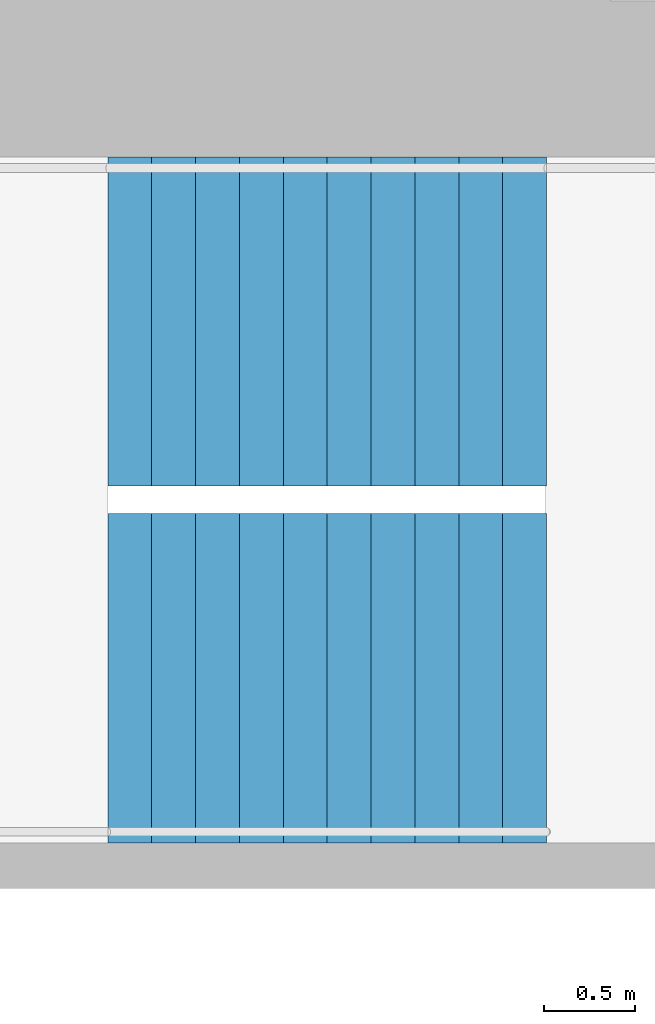
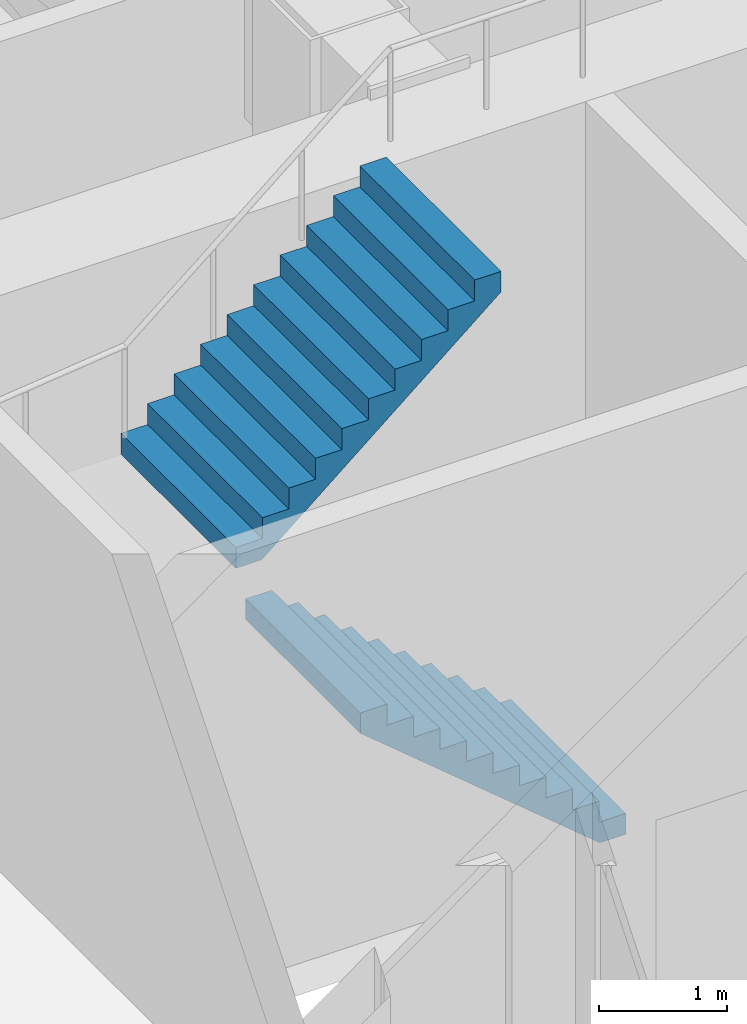
# One storey, part 29 of 31: 2 stair flights, 1 element without a shape of its own.
"""IFC4 building model written with IfcOpenShell, lengths in metres."""

from ifc_helpers import new_model, si_unit, direction, frame, origin, place, context, subcontext, project, spatial, triangles, material, type_object, element, aggregate, save


model = new_model("IFC4")

# Units and contexts
model_context = context("Model", 3, precision=1e-05, world=origin(), true_north=direction((0.0, 1.0)))
body_context = subcontext(model_context, "Body", "Model", "MODEL_VIEW")
ifc_project = project(units=[si_unit("LENGTHUNIT", "METRE"), si_unit("AREAUNIT", "SQUARE_METRE"), si_unit("VOLUMEUNIT", "CUBIC_METRE"), si_unit("PLANEANGLEUNIT", "RADIAN"), si_unit("MASSUNIT", "GRAM", prefix="KILO")], contexts=[model_context])

# Site, building, storey
site_placement = place(None, origin())
site = spatial("IfcSite", under=ifc_project, at=site_placement, CompositionType="ELEMENT")
building_placement = place(site_placement, origin())
building = spatial("IfcBuilding", under=site, at=building_placement, Name="Hakoniwa Tower and Hamabe Station Hall", CompositionType="ELEMENT")
storey_placement = place(building_placement, frame((0.0, 0.0, 120.199951171875)))
storey = spatial("IfcBuildingStorey", under=building, at=storey_placement, Name="L34", CompositionType="ELEMENT", Elevation=120.199951171875)

# Stair, stair flights
ifc_material_1 = material(Name="Concrete C40", Category="concrete")
stair_type = type_object("IfcStairType", Name="ESCAPE STAIR 1800", PredefinedType="HALF_TURN_STAIR", material=ifc_material_1)
stair_placement = place(storey_placement, origin())
stair = element("IfcStair", 1, at=stair_placement, inside=storey, type_object=stair_type, Name="Escape stair ST-3 L34", PredefinedType="HALF_TURN_STAIR")
ifc_material_2 = material(Name="Concrete C40", Category="concrete")
stair_flight_type = type_object("IfcStairFlightType", Name="STAIR FLIGHT 1800", PredefinedType="STRAIGHT", material=ifc_material_2)
stair_flight_1_placement = place(storey_placement, frame((24.39990234375, 4.64990234375, 0.0), z_axis=(0.0, 0.0, 1.0), x_axis=(-1.0, 0.0, 0.0)))
stair_flight_1 = element("IfcStairFlight", 2, at=stair_flight_1_placement, type_object=stair_flight_type, Name="ST-3 flight 1", NumberOfRisers=11, NumberOfTreads=10, PredefinedType="STRAIGHT", RiserHeight=0.2, TreadLength=0.24, context=body_context, shape_type="Tessellation", body=[
    triangles([(0.0, 0.89990234375, 0.0), (0.234130859375, 0.89990234375, 0.0), (0.239990234375, 0.89990234375, 0.0048828125), (0.47998046875, 0.89990234375, 0.204833984375), (0.719970703125, 0.89990234375, 0.40478515625), (0.9599609375, 0.89990234375, 0.60498046875), (1.199951171875, 0.89990234375, 0.804931640625), (1.43994140625, 0.89990234375, 1.0048828125), (1.679931640625, 0.89990234375, 1.204833984375), (1.919921875, 0.89990234375, 1.40478515625), (2.159912109375, 0.89990234375, 1.60498046875), (2.39990234375, 0.89990234375, 1.804931640625), (2.39990234375, 0.89990234375, 2.0), (2.159912109375, 0.89990234375, 2.0), (2.159912109375, 0.89990234375, 1.800048828125), (1.919921875, 0.89990234375, 1.800048828125), (1.919921875, 0.89990234375, 1.60009765625), (1.679931640625, 0.89990234375, 1.60009765625), (1.679931640625, 0.89990234375, 1.39990234375), (1.43994140625, 0.89990234375, 1.39990234375), (1.43994140625, 0.89990234375, 1.199951171875), (1.199951171875, 0.89990234375, 1.199951171875), (1.199951171875, 0.89990234375, 1.0), (0.9599609375, 0.89990234375, 1.0), (0.9599609375, 0.89990234375, 0.800048828125), (0.719970703125, 0.89990234375, 0.800048828125), (0.719970703125, 0.89990234375, 0.60009765625), (0.47998046875, 0.89990234375, 0.60009765625), (0.47998046875, 0.89990234375, 0.39990234375), (0.239990234375, 0.89990234375, 0.39990234375), (0.239990234375, 0.89990234375, 0.199951171875), (0.234130859375, 0.89990234375, 0.199951171875), (0.0, 0.89990234375, 0.199951171875), (0.0, 0.06005859375, 0.0), (0.234130859375, 0.06005859375, 0.0), (0.239990234375, 0.06005859375, 0.0048828125), (0.47998046875, 0.06005859375, 0.204833984375), (0.719970703125, 0.06005859375, 0.40478515625), (0.9599609375, 0.06005859375, 0.60498046875), (1.199951171875, 0.06005859375, 0.804931640625), (1.43994140625, 0.06005859375, 1.0048828125), (1.679931640625, 0.06005859375, 1.204833984375), (1.919921875, 0.06005859375, 1.40478515625), (2.159912109375, 0.06005859375, 1.60498046875), (2.39990234375, 0.06005859375, 1.804931640625), (2.39990234375, 0.06005859375, 2.0), (2.159912109375, 0.06005859375, 2.0), (2.159912109375, 0.06005859375, 1.800048828125), (1.919921875, 0.06005859375, 1.800048828125), (1.919921875, 0.06005859375, 1.60009765625), (1.679931640625, 0.06005859375, 1.60009765625), (1.679931640625, 0.06005859375, 1.39990234375), (1.43994140625, 0.06005859375, 1.39990234375), (1.43994140625, 0.06005859375, 1.199951171875), (1.199951171875, 0.06005859375, 1.199951171875), (1.199951171875, 0.06005859375, 1.0), (0.9599609375, 0.06005859375, 1.0), (0.9599609375, 0.06005859375, 0.800048828125), (0.719970703125, 0.06005859375, 0.800048828125), (0.719970703125, 0.06005859375, 0.60009765625), (0.47998046875, 0.06005859375, 0.60009765625), (0.47998046875, 0.06005859375, 0.39990234375), (0.239990234375, 0.06005859375, 0.39990234375), (0.239990234375, 0.06005859375, 0.199951171875), (0.234130859375, 0.06005859375, 0.199951171875), (0.0, 0.06005859375, 0.199951171875), (0.0, 0.02001953125, 0.0), (0.234130859375, 0.02001953125, 0.0), (0.239990234375, 0.02001953125, 0.0048828125), (0.47998046875, 0.02001953125, 0.204833984375), (0.719970703125, 0.02001953125, 0.40478515625), (0.9599609375, 0.02001953125, 0.60498046875), (1.199951171875, 0.02001953125, 0.804931640625), (1.43994140625, 0.02001953125, 1.0048828125), (1.679931640625, 0.02001953125, 1.204833984375), (1.919921875, 0.02001953125, 1.40478515625), (2.159912109375, 0.02001953125, 1.60498046875), (2.39990234375, 0.02001953125, 1.804931640625), (2.39990234375, 0.02001953125, 2.0), (2.159912109375, 0.02001953125, 2.0), (2.159912109375, 0.02001953125, 1.800048828125), (1.919921875, 0.02001953125, 1.800048828125), (1.919921875, 0.02001953125, 1.60009765625), (1.679931640625, 0.02001953125, 1.60009765625), (1.679931640625, 0.02001953125, 1.39990234375), (1.43994140625, 0.02001953125, 1.39990234375), (1.43994140625, 0.02001953125, 1.199951171875), (1.199951171875, 0.02001953125, 1.199951171875), (1.199951171875, 0.02001953125, 1.0), (0.9599609375, 0.02001953125, 1.0), (0.9599609375, 0.02001953125, 0.800048828125), (0.719970703125, 0.02001953125, 0.800048828125), (0.719970703125, 0.02001953125, 0.60009765625), (0.47998046875, 0.02001953125, 0.60009765625), (0.47998046875, 0.02001953125, 0.39990234375), (0.239990234375, 0.02001953125, 0.39990234375), (0.239990234375, 0.02001953125, 0.199951171875), (0.234130859375, 0.02001953125, 0.199951171875), (0.0, 0.02001953125, 0.199951171875), (0.0, -0.02001953125, 0.0), (0.234130859375, -0.02001953125, 0.0), (0.239990234375, -0.02001953125, 0.0048828125), (0.47998046875, -0.02001953125, 0.204833984375), (0.719970703125, -0.02001953125, 0.40478515625), (0.9599609375, -0.02001953125, 0.60498046875), (1.199951171875, -0.02001953125, 0.804931640625), (1.43994140625, -0.02001953125, 1.0048828125), (1.679931640625, -0.02001953125, 1.204833984375), (1.919921875, -0.02001953125, 1.40478515625), (2.159912109375, -0.02001953125, 1.60498046875), (2.39990234375, -0.02001953125, 1.804931640625), (2.39990234375, -0.02001953125, 2.0), (2.159912109375, -0.02001953125, 2.0), (2.159912109375, -0.02001953125, 1.800048828125), (1.919921875, -0.02001953125, 1.800048828125), (1.919921875, -0.02001953125, 1.60009765625), (1.679931640625, -0.02001953125, 1.60009765625), (1.679931640625, -0.02001953125, 1.39990234375), (1.43994140625, -0.02001953125, 1.39990234375), (1.43994140625, -0.02001953125, 1.199951171875), (1.199951171875, -0.02001953125, 1.199951171875), (1.199951171875, -0.02001953125, 1.0), (0.9599609375, -0.02001953125, 1.0), (0.9599609375, -0.02001953125, 0.800048828125), (0.719970703125, -0.02001953125, 0.800048828125), (0.719970703125, -0.02001953125, 0.60009765625), (0.47998046875, -0.02001953125, 0.60009765625), (0.47998046875, -0.02001953125, 0.39990234375), (0.239990234375, -0.02001953125, 0.39990234375), (0.239990234375, -0.02001953125, 0.199951171875), (0.234130859375, -0.02001953125, 0.199951171875), (0.0, -0.02001953125, 0.199951171875), (0.0, -0.06005859375, 0.0), (0.234130859375, -0.06005859375, 0.0), (0.239990234375, -0.06005859375, 0.0048828125), (0.47998046875, -0.06005859375, 0.204833984375), (0.719970703125, -0.06005859375, 0.40478515625), (0.9599609375, -0.06005859375, 0.60498046875), (1.199951171875, -0.06005859375, 0.804931640625), (1.43994140625, -0.06005859375, 1.0048828125), (1.679931640625, -0.06005859375, 1.204833984375), (1.919921875, -0.06005859375, 1.40478515625), (2.159912109375, -0.06005859375, 1.60498046875), (2.39990234375, -0.06005859375, 1.804931640625), (2.39990234375, -0.06005859375, 2.0), (2.159912109375, -0.06005859375, 2.0), (2.159912109375, -0.06005859375, 1.800048828125), (1.919921875, -0.06005859375, 1.800048828125), (1.919921875, -0.06005859375, 1.60009765625), (1.679931640625, -0.06005859375, 1.60009765625), (1.679931640625, -0.06005859375, 1.39990234375), (1.43994140625, -0.06005859375, 1.39990234375), (1.43994140625, -0.06005859375, 1.199951171875), (1.199951171875, -0.06005859375, 1.199951171875), (1.199951171875, -0.06005859375, 1.0), (0.9599609375, -0.06005859375, 1.0), (0.9599609375, -0.06005859375, 0.800048828125), (0.719970703125, -0.06005859375, 0.800048828125), (0.719970703125, -0.06005859375, 0.60009765625), (0.47998046875, -0.06005859375, 0.60009765625), (0.47998046875, -0.06005859375, 0.39990234375), (0.239990234375, -0.06005859375, 0.39990234375), (0.239990234375, -0.06005859375, 0.199951171875), (0.234130859375, -0.06005859375, 0.199951171875), (0.0, -0.06005859375, 0.199951171875), (0.0, -0.89990234375, 0.0), (0.234130859375, -0.89990234375, 0.0), (0.239990234375, -0.89990234375, 0.0048828125), (0.47998046875, -0.89990234375, 0.204833984375), (0.719970703125, -0.89990234375, 0.40478515625), (0.9599609375, -0.89990234375, 0.60498046875), (1.199951171875, -0.89990234375, 0.804931640625), (1.43994140625, -0.89990234375, 1.0048828125), (1.679931640625, -0.89990234375, 1.204833984375), (1.919921875, -0.89990234375, 1.40478515625), (2.159912109375, -0.89990234375, 1.60498046875), (2.39990234375, -0.89990234375, 1.804931640625), (2.39990234375, -0.89990234375, 2.0), (2.159912109375, -0.89990234375, 2.0), (2.159912109375, -0.89990234375, 1.800048828125), (1.919921875, -0.89990234375, 1.800048828125), (1.919921875, -0.89990234375, 1.60009765625), (1.679931640625, -0.89990234375, 1.60009765625), (1.679931640625, -0.89990234375, 1.39990234375), (1.43994140625, -0.89990234375, 1.39990234375), (1.43994140625, -0.89990234375, 1.199951171875), (1.199951171875, -0.89990234375, 1.199951171875), (1.199951171875, -0.89990234375, 1.0), (0.9599609375, -0.89990234375, 1.0), (0.9599609375, -0.89990234375, 0.800048828125), (0.719970703125, -0.89990234375, 0.800048828125), (0.719970703125, -0.89990234375, 0.60009765625), (0.47998046875, -0.89990234375, 0.60009765625), (0.47998046875, -0.89990234375, 0.39990234375), (0.239990234375, -0.89990234375, 0.39990234375), (0.239990234375, -0.89990234375, 0.199951171875), (0.234130859375, -0.89990234375, 0.199951171875), (0.0, -0.89990234375, 0.199951171875)], [[2, 33, 32], [167, 197, 198], [2, 1, 33], [167, 198, 166], [3, 32, 31], [168, 196, 197], [3, 2, 32], [168, 197, 167], [4, 30, 29], [169, 194, 195], [4, 31, 30], [169, 195, 196], [4, 3, 31], [169, 196, 168], [5, 28, 27], [170, 192, 193], [5, 29, 28], [170, 193, 194], [5, 4, 29], [170, 194, 169], [6, 26, 25], [171, 190, 191], [6, 27, 26], [171, 191, 192], [6, 5, 27], [171, 192, 170], [7, 24, 23], [172, 188, 189], [7, 25, 24], [172, 189, 190], [7, 6, 25], [172, 190, 171], [8, 22, 21], [173, 186, 187], [8, 23, 22], [173, 187, 188], [8, 7, 23], [173, 188, 172], [9, 20, 19], [174, 184, 185], [9, 21, 20], [174, 185, 186], [9, 8, 21], [174, 186, 173], [10, 18, 17], [175, 182, 183], [10, 19, 18], [175, 183, 184], [10, 9, 19], [175, 184, 174], [11, 16, 15], [176, 180, 181], [11, 17, 16], [176, 181, 182], [11, 10, 17], [176, 182, 175], [12, 14, 13], [177, 178, 179], [12, 15, 14], [177, 179, 180], [12, 11, 15], [177, 180, 176], [1, 2, 35], [1, 35, 34], [34, 35, 68], [34, 68, 67], [67, 68, 101], [67, 101, 100], [100, 101, 134], [100, 134, 133], [133, 134, 167], [133, 167, 166], [2, 3, 36], [2, 36, 35], [35, 36, 69], [35, 69, 68], [68, 69, 102], [68, 102, 101], [101, 102, 135], [101, 135, 134], [134, 135, 168], [134, 168, 167], [3, 4, 37], [3, 37, 36], [36, 37, 70], [36, 70, 69], [69, 70, 103], [69, 103, 102], [102, 103, 136], [102, 136, 135], [135, 136, 169], [135, 169, 168], [4, 5, 38], [4, 38, 37], [37, 38, 71], [37, 71, 70], [70, 71, 104], [70, 104, 103], [103, 104, 137], [103, 137, 136], [136, 137, 170], [136, 170, 169], [5, 6, 39], [5, 39, 38], [38, 39, 72], [38, 72, 71], [71, 72, 105], [71, 105, 104], [104, 105, 138], [104, 138, 137], [137, 138, 171], [137, 171, 170], [6, 7, 40], [6, 40, 39], [39, 40, 73], [39, 73, 72], [72, 73, 106], [72, 106, 105], [105, 106, 139], [105, 139, 138], [138, 139, 172], [138, 172, 171], [7, 8, 41], [7, 41, 40], [40, 41, 74], [40, 74, 73], [73, 74, 107], [73, 107, 106], [106, 107, 140], [106, 140, 139], [139, 140, 173], [139, 173, 172], [8, 9, 42], [8, 42, 41], [41, 42, 75], [41, 75, 74], [74, 75, 108], [74, 108, 107], [107, 108, 141], [107, 141, 140], [140, 141, 174], [140, 174, 173], [9, 10, 43], [9, 43, 42], [42, 43, 76], [42, 76, 75], [75, 76, 109], [75, 109, 108], [108, 109, 142], [108, 142, 141], [141, 142, 175], [141, 175, 174], [10, 11, 44], [10, 44, 43], [43, 44, 77], [43, 77, 76], [76, 77, 110], [76, 110, 109], [109, 110, 143], [109, 143, 142], [142, 143, 176], [142, 176, 175], [11, 12, 45], [11, 45, 44], [44, 45, 78], [44, 78, 77], [77, 78, 111], [77, 111, 110], [110, 111, 144], [110, 144, 143], [143, 144, 177], [143, 177, 176], [12, 13, 46], [12, 46, 45], [45, 46, 79], [45, 79, 78], [78, 79, 112], [78, 112, 111], [111, 112, 145], [111, 145, 144], [144, 145, 178], [144, 178, 177], [13, 14, 47], [13, 47, 46], [46, 47, 80], [46, 80, 79], [79, 80, 113], [79, 113, 112], [112, 113, 146], [112, 146, 145], [145, 146, 179], [145, 179, 178], [14, 15, 48], [14, 48, 47], [47, 48, 81], [47, 81, 80], [80, 81, 114], [80, 114, 113], [113, 114, 147], [113, 147, 146], [146, 147, 180], [146, 180, 179], [15, 16, 49], [15, 49, 48], [48, 49, 82], [48, 82, 81], [81, 82, 115], [81, 115, 114], [114, 115, 148], [114, 148, 147], [147, 148, 181], [147, 181, 180], [16, 17, 50], [16, 50, 49], [49, 50, 83], [49, 83, 82], [82, 83, 116], [82, 116, 115], [115, 116, 149], [115, 149, 148], [148, 149, 182], [148, 182, 181], [17, 18, 51], [17, 51, 50], [50, 51, 84], [50, 84, 83], [83, 84, 117], [83, 117, 116], [116, 117, 150], [116, 150, 149], [149, 150, 183], [149, 183, 182], [18, 19, 52], [18, 52, 51], [51, 52, 85], [51, 85, 84], [84, 85, 118], [84, 118, 117], [117, 118, 151], [117, 151, 150], [150, 151, 184], [150, 184, 183], [19, 20, 53], [19, 53, 52], [52, 53, 86], [52, 86, 85], [85, 86, 119], [85, 119, 118], [118, 119, 152], [118, 152, 151], [151, 152, 185], [151, 185, 184], [20, 21, 54], [20, 54, 53], [53, 54, 87], [53, 87, 86], [86, 87, 120], [86, 120, 119], [119, 120, 153], [119, 153, 152], [152, 153, 186], [152, 186, 185], [21, 22, 55], [21, 55, 54], [54, 55, 88], [54, 88, 87], [87, 88, 121], [87, 121, 120], [120, 121, 154], [120, 154, 153], [153, 154, 187], [153, 187, 186], [22, 23, 56], [22, 56, 55], [55, 56, 89], [55, 89, 88], [88, 89, 122], [88, 122, 121], [121, 122, 155], [121, 155, 154], [154, 155, 188], [154, 188, 187], [23, 24, 57], [23, 57, 56], [56, 57, 90], [56, 90, 89], [89, 90, 123], [89, 123, 122], [122, 123, 156], [122, 156, 155], [155, 156, 189], [155, 189, 188], [24, 25, 58], [24, 58, 57], [57, 58, 91], [57, 91, 90], [90, 91, 124], [90, 124, 123], [123, 124, 157], [123, 157, 156], [156, 157, 190], [156, 190, 189], [25, 26, 59], [25, 59, 58], [58, 59, 92], [58, 92, 91], [91, 92, 125], [91, 125, 124], [124, 125, 158], [124, 158, 157], [157, 158, 191], [157, 191, 190], [26, 27, 60], [26, 60, 59], [59, 60, 93], [59, 93, 92], [92, 93, 126], [92, 126, 125], [125, 126, 159], [125, 159, 158], [158, 159, 192], [158, 192, 191], [27, 28, 61], [27, 61, 60], [60, 61, 94], [60, 94, 93], [93, 94, 127], [93, 127, 126], [126, 127, 160], [126, 160, 159], [159, 160, 193], [159, 193, 192], [28, 29, 62], [28, 62, 61], [61, 62, 95], [61, 95, 94], [94, 95, 128], [94, 128, 127], [127, 128, 161], [127, 161, 160], [160, 161, 194], [160, 194, 193], [29, 30, 63], [29, 63, 62], [62, 63, 96], [62, 96, 95], [95, 96, 129], [95, 129, 128], [128, 129, 162], [128, 162, 161], [161, 162, 195], [161, 195, 194], [30, 31, 64], [30, 64, 63], [63, 64, 97], [63, 97, 96], [96, 97, 130], [96, 130, 129], [129, 130, 163], [129, 163, 162], [162, 163, 196], [162, 196, 195], [31, 32, 65], [31, 65, 64], [64, 65, 98], [64, 98, 97], [97, 98, 131], [97, 131, 130], [130, 131, 164], [130, 164, 163], [163, 164, 197], [163, 197, 196], [32, 33, 66], [32, 66, 65], [65, 66, 99], [65, 99, 98], [98, 99, 132], [98, 132, 131], [131, 132, 165], [131, 165, 164], [164, 165, 198], [164, 198, 197], [33, 1, 34], [33, 34, 66], [66, 34, 67], [66, 67, 99], [99, 67, 100], [99, 100, 132], [132, 100, 133], [132, 133, 165], [165, 133, 166], [165, 166, 198]], closed=True),
])
stair_flight_2_placement = place(storey_placement, frame((22.0, 6.60009765625, 2.199951171875), z_axis=(0.0, 0.0, 1.0), x_axis=(1.0, 0.0, 0.0)))
stair_flight_2 = element("IfcStairFlight", 3, at=stair_flight_2_placement, type_object=stair_flight_type, Name="ST-3 flight 2", NumberOfRisers=11, NumberOfTreads=10, PredefinedType="STRAIGHT", RiserHeight=0.2, TreadLength=0.24, context=body_context, shape_type="Tessellation", body=[
    triangles([(0.0, 0.89990234375, 0.0), (0.234130859375, 0.89990234375, 0.0), (0.239990234375, 0.89990234375, 0.0048828125), (0.47998046875, 0.89990234375, 0.204833984375), (0.719970703125, 0.89990234375, 0.40478515625), (0.9599609375, 0.89990234375, 0.60498046875), (1.199951171875, 0.89990234375, 0.804931640625), (1.43994140625, 0.89990234375, 1.0048828125), (1.679931640625, 0.89990234375, 1.204833984375), (1.919921875, 0.89990234375, 1.40478515625), (2.159912109375, 0.89990234375, 1.60498046875), (2.39990234375, 0.89990234375, 1.804931640625), (2.39990234375, 0.89990234375, 2.0), (2.159912109375, 0.89990234375, 2.0), (2.159912109375, 0.89990234375, 1.800048828125), (1.919921875, 0.89990234375, 1.800048828125), (1.919921875, 0.89990234375, 1.60009765625), (1.679931640625, 0.89990234375, 1.60009765625), (1.679931640625, 0.89990234375, 1.39990234375), (1.43994140625, 0.89990234375, 1.39990234375), (1.43994140625, 0.89990234375, 1.199951171875), (1.199951171875, 0.89990234375, 1.199951171875), (1.199951171875, 0.89990234375, 1.0), (0.9599609375, 0.89990234375, 1.0), (0.9599609375, 0.89990234375, 0.800048828125), (0.719970703125, 0.89990234375, 0.800048828125), (0.719970703125, 0.89990234375, 0.60009765625), (0.47998046875, 0.89990234375, 0.60009765625), (0.47998046875, 0.89990234375, 0.39990234375), (0.239990234375, 0.89990234375, 0.39990234375), (0.239990234375, 0.89990234375, 0.199951171875), (0.234130859375, 0.89990234375, 0.199951171875), (0.0, 0.89990234375, 0.199951171875), (0.0, 0.06005859375, 0.0), (0.234130859375, 0.06005859375, 0.0), (0.239990234375, 0.06005859375, 0.0048828125), (0.47998046875, 0.06005859375, 0.204833984375), (0.719970703125, 0.06005859375, 0.40478515625), (0.9599609375, 0.06005859375, 0.60498046875), (1.199951171875, 0.06005859375, 0.804931640625), (1.43994140625, 0.06005859375, 1.0048828125), (1.679931640625, 0.06005859375, 1.204833984375), (1.919921875, 0.06005859375, 1.40478515625), (2.159912109375, 0.06005859375, 1.60498046875), (2.39990234375, 0.06005859375, 1.804931640625), (2.39990234375, 0.06005859375, 2.0), (2.159912109375, 0.06005859375, 2.0), (2.159912109375, 0.06005859375, 1.800048828125), (1.919921875, 0.06005859375, 1.800048828125), (1.919921875, 0.06005859375, 1.60009765625), (1.679931640625, 0.06005859375, 1.60009765625), (1.679931640625, 0.06005859375, 1.39990234375), (1.43994140625, 0.06005859375, 1.39990234375), (1.43994140625, 0.06005859375, 1.199951171875), (1.199951171875, 0.06005859375, 1.199951171875), (1.199951171875, 0.06005859375, 1.0), (0.9599609375, 0.06005859375, 1.0), (0.9599609375, 0.06005859375, 0.800048828125), (0.719970703125, 0.06005859375, 0.800048828125), (0.719970703125, 0.06005859375, 0.60009765625), (0.47998046875, 0.06005859375, 0.60009765625), (0.47998046875, 0.06005859375, 0.39990234375), (0.239990234375, 0.06005859375, 0.39990234375), (0.239990234375, 0.06005859375, 0.199951171875), (0.234130859375, 0.06005859375, 0.199951171875), (0.0, 0.06005859375, 0.199951171875), (0.0, 0.02001953125, 0.0), (0.234130859375, 0.02001953125, 0.0), (0.239990234375, 0.02001953125, 0.0048828125), (0.47998046875, 0.02001953125, 0.204833984375), (0.719970703125, 0.02001953125, 0.40478515625), (0.9599609375, 0.02001953125, 0.60498046875), (1.199951171875, 0.02001953125, 0.804931640625), (1.43994140625, 0.02001953125, 1.0048828125), (1.679931640625, 0.02001953125, 1.204833984375), (1.919921875, 0.02001953125, 1.40478515625), (2.159912109375, 0.02001953125, 1.60498046875), (2.39990234375, 0.02001953125, 1.804931640625), (2.39990234375, 0.02001953125, 2.0), (2.159912109375, 0.02001953125, 2.0), (2.159912109375, 0.02001953125, 1.800048828125), (1.919921875, 0.02001953125, 1.800048828125), (1.919921875, 0.02001953125, 1.60009765625), (1.679931640625, 0.02001953125, 1.60009765625), (1.679931640625, 0.02001953125, 1.39990234375), (1.43994140625, 0.02001953125, 1.39990234375), (1.43994140625, 0.02001953125, 1.199951171875), (1.199951171875, 0.02001953125, 1.199951171875), (1.199951171875, 0.02001953125, 1.0), (0.9599609375, 0.02001953125, 1.0), (0.9599609375, 0.02001953125, 0.800048828125), (0.719970703125, 0.02001953125, 0.800048828125), (0.719970703125, 0.02001953125, 0.60009765625), (0.47998046875, 0.02001953125, 0.60009765625), (0.47998046875, 0.02001953125, 0.39990234375), (0.239990234375, 0.02001953125, 0.39990234375), (0.239990234375, 0.02001953125, 0.199951171875), (0.234130859375, 0.02001953125, 0.199951171875), (0.0, 0.02001953125, 0.199951171875), (0.0, -0.02001953125, 0.0), (0.234130859375, -0.02001953125, 0.0), (0.239990234375, -0.02001953125, 0.0048828125), (0.47998046875, -0.02001953125, 0.204833984375), (0.719970703125, -0.02001953125, 0.40478515625), (0.9599609375, -0.02001953125, 0.60498046875), (1.199951171875, -0.02001953125, 0.804931640625), (1.43994140625, -0.02001953125, 1.0048828125), (1.679931640625, -0.02001953125, 1.204833984375), (1.919921875, -0.02001953125, 1.40478515625), (2.159912109375, -0.02001953125, 1.60498046875), (2.39990234375, -0.02001953125, 1.804931640625), (2.39990234375, -0.02001953125, 2.0), (2.159912109375, -0.02001953125, 2.0), (2.159912109375, -0.02001953125, 1.800048828125), (1.919921875, -0.02001953125, 1.800048828125), (1.919921875, -0.02001953125, 1.60009765625), (1.679931640625, -0.02001953125, 1.60009765625), (1.679931640625, -0.02001953125, 1.39990234375), (1.43994140625, -0.02001953125, 1.39990234375), (1.43994140625, -0.02001953125, 1.199951171875), (1.199951171875, -0.02001953125, 1.199951171875), (1.199951171875, -0.02001953125, 1.0), (0.9599609375, -0.02001953125, 1.0), (0.9599609375, -0.02001953125, 0.800048828125), (0.719970703125, -0.02001953125, 0.800048828125), (0.719970703125, -0.02001953125, 0.60009765625), (0.47998046875, -0.02001953125, 0.60009765625), (0.47998046875, -0.02001953125, 0.39990234375), (0.239990234375, -0.02001953125, 0.39990234375), (0.239990234375, -0.02001953125, 0.199951171875), (0.234130859375, -0.02001953125, 0.199951171875), (0.0, -0.02001953125, 0.199951171875), (0.0, -0.06005859375, 0.0), (0.234130859375, -0.06005859375, 0.0), (0.239990234375, -0.06005859375, 0.0048828125), (0.47998046875, -0.06005859375, 0.204833984375), (0.719970703125, -0.06005859375, 0.40478515625), (0.9599609375, -0.06005859375, 0.60498046875), (1.199951171875, -0.06005859375, 0.804931640625), (1.43994140625, -0.06005859375, 1.0048828125), (1.679931640625, -0.06005859375, 1.204833984375), (1.919921875, -0.06005859375, 1.40478515625), (2.159912109375, -0.06005859375, 1.60498046875), (2.39990234375, -0.06005859375, 1.804931640625), (2.39990234375, -0.06005859375, 2.0), (2.159912109375, -0.06005859375, 2.0), (2.159912109375, -0.06005859375, 1.800048828125), (1.919921875, -0.06005859375, 1.800048828125), (1.919921875, -0.06005859375, 1.60009765625), (1.679931640625, -0.06005859375, 1.60009765625), (1.679931640625, -0.06005859375, 1.39990234375), (1.43994140625, -0.06005859375, 1.39990234375), (1.43994140625, -0.06005859375, 1.199951171875), (1.199951171875, -0.06005859375, 1.199951171875), (1.199951171875, -0.06005859375, 1.0), (0.9599609375, -0.06005859375, 1.0), (0.9599609375, -0.06005859375, 0.800048828125), (0.719970703125, -0.06005859375, 0.800048828125), (0.719970703125, -0.06005859375, 0.60009765625), (0.47998046875, -0.06005859375, 0.60009765625), (0.47998046875, -0.06005859375, 0.39990234375), (0.239990234375, -0.06005859375, 0.39990234375), (0.239990234375, -0.06005859375, 0.199951171875), (0.234130859375, -0.06005859375, 0.199951171875), (0.0, -0.06005859375, 0.199951171875), (0.0, -0.89990234375, 0.0), (0.234130859375, -0.89990234375, 0.0), (0.239990234375, -0.89990234375, 0.0048828125), (0.47998046875, -0.89990234375, 0.204833984375), (0.719970703125, -0.89990234375, 0.40478515625), (0.9599609375, -0.89990234375, 0.60498046875), (1.199951171875, -0.89990234375, 0.804931640625), (1.43994140625, -0.89990234375, 1.0048828125), (1.679931640625, -0.89990234375, 1.204833984375), (1.919921875, -0.89990234375, 1.40478515625), (2.159912109375, -0.89990234375, 1.60498046875), (2.39990234375, -0.89990234375, 1.804931640625), (2.39990234375, -0.89990234375, 2.0), (2.159912109375, -0.89990234375, 2.0), (2.159912109375, -0.89990234375, 1.800048828125), (1.919921875, -0.89990234375, 1.800048828125), (1.919921875, -0.89990234375, 1.60009765625), (1.679931640625, -0.89990234375, 1.60009765625), (1.679931640625, -0.89990234375, 1.39990234375), (1.43994140625, -0.89990234375, 1.39990234375), (1.43994140625, -0.89990234375, 1.199951171875), (1.199951171875, -0.89990234375, 1.199951171875), (1.199951171875, -0.89990234375, 1.0), (0.9599609375, -0.89990234375, 1.0), (0.9599609375, -0.89990234375, 0.800048828125), (0.719970703125, -0.89990234375, 0.800048828125), (0.719970703125, -0.89990234375, 0.60009765625), (0.47998046875, -0.89990234375, 0.60009765625), (0.47998046875, -0.89990234375, 0.39990234375), (0.239990234375, -0.89990234375, 0.39990234375), (0.239990234375, -0.89990234375, 0.199951171875), (0.234130859375, -0.89990234375, 0.199951171875), (0.0, -0.89990234375, 0.199951171875)], [[2, 33, 32], [167, 197, 198], [2, 1, 33], [167, 198, 166], [3, 32, 31], [168, 196, 197], [3, 2, 32], [168, 197, 167], [4, 30, 29], [169, 194, 195], [4, 31, 30], [169, 195, 196], [4, 3, 31], [169, 196, 168], [5, 28, 27], [170, 192, 193], [5, 29, 28], [170, 193, 194], [5, 4, 29], [170, 194, 169], [6, 26, 25], [171, 190, 191], [6, 27, 26], [171, 191, 192], [6, 5, 27], [171, 192, 170], [7, 24, 23], [172, 188, 189], [7, 25, 24], [172, 189, 190], [7, 6, 25], [172, 190, 171], [8, 22, 21], [173, 186, 187], [8, 23, 22], [173, 187, 188], [8, 7, 23], [173, 188, 172], [9, 20, 19], [174, 184, 185], [9, 21, 20], [174, 185, 186], [9, 8, 21], [174, 186, 173], [10, 18, 17], [175, 182, 183], [10, 19, 18], [175, 183, 184], [10, 9, 19], [175, 184, 174], [11, 16, 15], [176, 180, 181], [11, 17, 16], [176, 181, 182], [11, 10, 17], [176, 182, 175], [12, 14, 13], [177, 178, 179], [12, 15, 14], [177, 179, 180], [12, 11, 15], [177, 180, 176], [1, 2, 35], [1, 35, 34], [34, 35, 68], [34, 68, 67], [67, 68, 101], [67, 101, 100], [100, 101, 134], [100, 134, 133], [133, 134, 167], [133, 167, 166], [2, 3, 36], [2, 36, 35], [35, 36, 69], [35, 69, 68], [68, 69, 102], [68, 102, 101], [101, 102, 135], [101, 135, 134], [134, 135, 168], [134, 168, 167], [3, 4, 37], [3, 37, 36], [36, 37, 70], [36, 70, 69], [69, 70, 103], [69, 103, 102], [102, 103, 136], [102, 136, 135], [135, 136, 169], [135, 169, 168], [4, 5, 38], [4, 38, 37], [37, 38, 71], [37, 71, 70], [70, 71, 104], [70, 104, 103], [103, 104, 137], [103, 137, 136], [136, 137, 170], [136, 170, 169], [5, 6, 39], [5, 39, 38], [38, 39, 72], [38, 72, 71], [71, 72, 105], [71, 105, 104], [104, 105, 138], [104, 138, 137], [137, 138, 171], [137, 171, 170], [6, 7, 40], [6, 40, 39], [39, 40, 73], [39, 73, 72], [72, 73, 106], [72, 106, 105], [105, 106, 139], [105, 139, 138], [138, 139, 172], [138, 172, 171], [7, 8, 41], [7, 41, 40], [40, 41, 74], [40, 74, 73], [73, 74, 107], [73, 107, 106], [106, 107, 140], [106, 140, 139], [139, 140, 173], [139, 173, 172], [8, 9, 42], [8, 42, 41], [41, 42, 75], [41, 75, 74], [74, 75, 108], [74, 108, 107], [107, 108, 141], [107, 141, 140], [140, 141, 174], [140, 174, 173], [9, 10, 43], [9, 43, 42], [42, 43, 76], [42, 76, 75], [75, 76, 109], [75, 109, 108], [108, 109, 142], [108, 142, 141], [141, 142, 175], [141, 175, 174], [10, 11, 44], [10, 44, 43], [43, 44, 77], [43, 77, 76], [76, 77, 110], [76, 110, 109], [109, 110, 143], [109, 143, 142], [142, 143, 176], [142, 176, 175], [11, 12, 45], [11, 45, 44], [44, 45, 78], [44, 78, 77], [77, 78, 111], [77, 111, 110], [110, 111, 144], [110, 144, 143], [143, 144, 177], [143, 177, 176], [12, 13, 46], [12, 46, 45], [45, 46, 79], [45, 79, 78], [78, 79, 112], [78, 112, 111], [111, 112, 145], [111, 145, 144], [144, 145, 178], [144, 178, 177], [13, 14, 47], [13, 47, 46], [46, 47, 80], [46, 80, 79], [79, 80, 113], [79, 113, 112], [112, 113, 146], [112, 146, 145], [145, 146, 179], [145, 179, 178], [14, 15, 48], [14, 48, 47], [47, 48, 81], [47, 81, 80], [80, 81, 114], [80, 114, 113], [113, 114, 147], [113, 147, 146], [146, 147, 180], [146, 180, 179], [15, 16, 49], [15, 49, 48], [48, 49, 82], [48, 82, 81], [81, 82, 115], [81, 115, 114], [114, 115, 148], [114, 148, 147], [147, 148, 181], [147, 181, 180], [16, 17, 50], [16, 50, 49], [49, 50, 83], [49, 83, 82], [82, 83, 116], [82, 116, 115], [115, 116, 149], [115, 149, 148], [148, 149, 182], [148, 182, 181], [17, 18, 51], [17, 51, 50], [50, 51, 84], [50, 84, 83], [83, 84, 117], [83, 117, 116], [116, 117, 150], [116, 150, 149], [149, 150, 183], [149, 183, 182], [18, 19, 52], [18, 52, 51], [51, 52, 85], [51, 85, 84], [84, 85, 118], [84, 118, 117], [117, 118, 151], [117, 151, 150], [150, 151, 184], [150, 184, 183], [19, 20, 53], [19, 53, 52], [52, 53, 86], [52, 86, 85], [85, 86, 119], [85, 119, 118], [118, 119, 152], [118, 152, 151], [151, 152, 185], [151, 185, 184], [20, 21, 54], [20, 54, 53], [53, 54, 87], [53, 87, 86], [86, 87, 120], [86, 120, 119], [119, 120, 153], [119, 153, 152], [152, 153, 186], [152, 186, 185], [21, 22, 55], [21, 55, 54], [54, 55, 88], [54, 88, 87], [87, 88, 121], [87, 121, 120], [120, 121, 154], [120, 154, 153], [153, 154, 187], [153, 187, 186], [22, 23, 56], [22, 56, 55], [55, 56, 89], [55, 89, 88], [88, 89, 122], [88, 122, 121], [121, 122, 155], [121, 155, 154], [154, 155, 188], [154, 188, 187], [23, 24, 57], [23, 57, 56], [56, 57, 90], [56, 90, 89], [89, 90, 123], [89, 123, 122], [122, 123, 156], [122, 156, 155], [155, 156, 189], [155, 189, 188], [24, 25, 58], [24, 58, 57], [57, 58, 91], [57, 91, 90], [90, 91, 124], [90, 124, 123], [123, 124, 157], [123, 157, 156], [156, 157, 190], [156, 190, 189], [25, 26, 59], [25, 59, 58], [58, 59, 92], [58, 92, 91], [91, 92, 125], [91, 125, 124], [124, 125, 158], [124, 158, 157], [157, 158, 191], [157, 191, 190], [26, 27, 60], [26, 60, 59], [59, 60, 93], [59, 93, 92], [92, 93, 126], [92, 126, 125], [125, 126, 159], [125, 159, 158], [158, 159, 192], [158, 192, 191], [27, 28, 61], [27, 61, 60], [60, 61, 94], [60, 94, 93], [93, 94, 127], [93, 127, 126], [126, 127, 160], [126, 160, 159], [159, 160, 193], [159, 193, 192], [28, 29, 62], [28, 62, 61], [61, 62, 95], [61, 95, 94], [94, 95, 128], [94, 128, 127], [127, 128, 161], [127, 161, 160], [160, 161, 194], [160, 194, 193], [29, 30, 63], [29, 63, 62], [62, 63, 96], [62, 96, 95], [95, 96, 129], [95, 129, 128], [128, 129, 162], [128, 162, 161], [161, 162, 195], [161, 195, 194], [30, 31, 64], [30, 64, 63], [63, 64, 97], [63, 97, 96], [96, 97, 130], [96, 130, 129], [129, 130, 163], [129, 163, 162], [162, 163, 196], [162, 196, 195], [31, 32, 65], [31, 65, 64], [64, 65, 98], [64, 98, 97], [97, 98, 131], [97, 131, 130], [130, 131, 164], [130, 164, 163], [163, 164, 197], [163, 197, 196], [32, 33, 66], [32, 66, 65], [65, 66, 99], [65, 99, 98], [98, 99, 132], [98, 132, 131], [131, 132, 165], [131, 165, 164], [164, 165, 198], [164, 198, 197], [33, 1, 34], [33, 34, 66], [66, 34, 67], [66, 67, 99], [99, 67, 100], [99, 100, 132], [132, 100, 133], [132, 133, 165], [165, 133, 166], [165, 166, 198]], closed=True),
])
aggregate(stair, [stair_flight_1, stair_flight_2])

save(model, "model.ifc")
